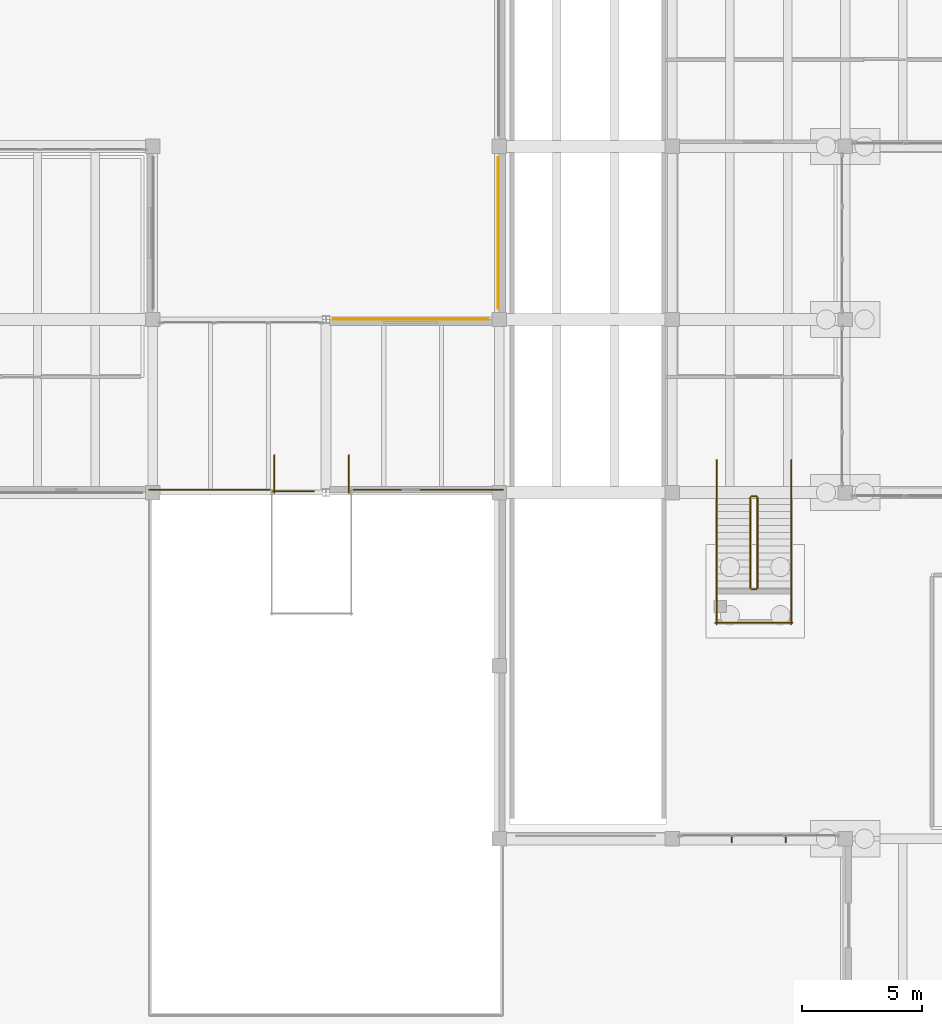
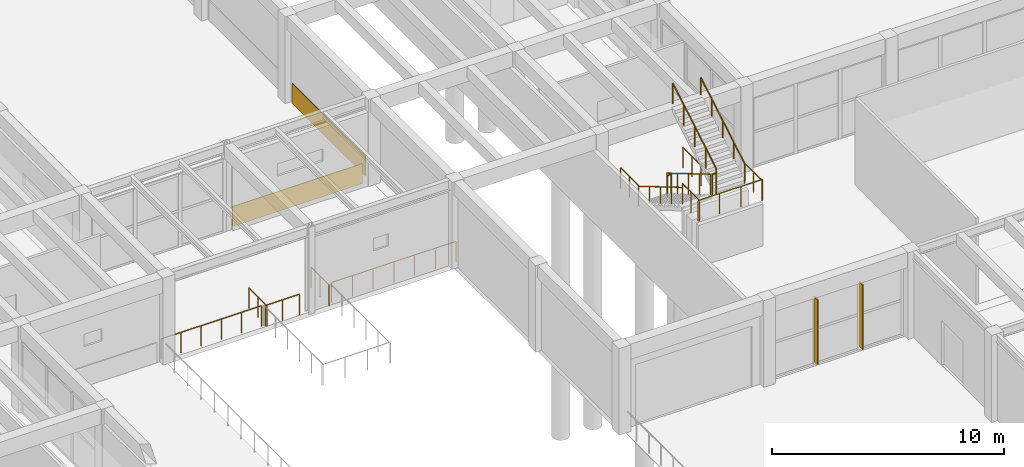
# One storey, part 135 of 155: 16 railings, 2 coverings, 2 shading devices.
"""IFC4 building model written with IfcOpenShell, lengths in metres."""

from ifc_helpers import new_model, si_unit, direction, frame, origin, origin_2d, place, context, subcontext, project, spatial, rectangle, circle, extrude, material, layer, layer_set, type_object, element, save


model = new_model("IFC4")

# Units and contexts
model_context = context("Model", 3, precision=1e-05, world=origin(), true_north=direction((0.0, 1.0)))
body_context = subcontext(model_context, "Body", "Model", "MODEL_VIEW")
ifc_project = project(units=[si_unit("LENGTHUNIT", "METRE"), si_unit("AREAUNIT", "SQUARE_METRE"), si_unit("VOLUMEUNIT", "CUBIC_METRE"), si_unit("PLANEANGLEUNIT", "RADIAN"), si_unit("MASSUNIT", "GRAM", prefix="KILO")], contexts=[model_context])

# Site, building, storey
site_placement = place(None, origin())
site = spatial("IfcSite", under=ifc_project, at=site_placement, CompositionType="ELEMENT")
building_placement = place(site_placement, origin())
building = spatial("IfcBuilding", under=site, at=building_placement, Name="Bramvelor Terrace Health Centre", CompositionType="ELEMENT")
storey_placement = place(building_placement, origin())
storey = spatial("IfcBuildingStorey", under=building, at=storey_placement, Name="L01", CompositionType="ELEMENT", Elevation=0.0)

# Coverings
ifc_material_1 = material(Name="Honed volcanic tuff rainscreen stone", Category="masonry")
ifc_layer_1 = layer(ifc_material_1, 0.0400390625)
ifc_layer_set_1 = layer_set([ifc_layer_1], Name="Honed volcanic tuff rainscreen stone")
covering_type = type_object("IfcCoveringType", Name="COV-CLAD-TUF", PredefinedType="CLADDING", material=ifc_layer_set_1)
covering_1_placement = place(storey_placement, frame((39.52685546875, 57.614990234375, 0.02490234375), z_axis=(0.0, 0.0, 1.0), x_axis=(1.0, 0.0, 0.0)))
element("IfcCovering", 1, at=covering_1_placement, inside=storey, type_object=covering_type, Name="L01 Volcanic Tuff Rainscreen Spandrel 11", PredefinedType="CLADDING", context=body_context, shape_type="SweptSolid", body=[
    extrude(rectangle(XDim=6.4560546875, YDim=0.0400390625, at=origin_2d()), origin(), (0.0, 0.0, 1.0), 1.050048828125),
])
covering_2_placement = place(storey_placement, frame((43.169921875, 61.199951171875, 0.02490234375), z_axis=(0.0, 0.0, 1.0), x_axis=(1.0, 0.0, 0.0)))
element("IfcCovering", 2, at=covering_2_placement, inside=storey, type_object=covering_type, Name="L01 Volcanic Tuff Rainscreen Spandrel 12", PredefinedType="CLADDING", context=body_context, shape_type="SweptSolid", body=[
    extrude(rectangle(XDim=0.0400390625, YDim=6.31005859375, at=origin_2d()), origin(), (0.0, 0.0, 1.0), 1.050048828125),
])

# Railings
ifc_material_2 = material(Name="Painted galvanized steel", Category="steel")
railing_type_1 = type_object("IfcRailingType", Name="RLG-GD-1100", PredefinedType="GUARDRAIL", material=ifc_material_2)
railing_1_placement = place(storey_placement, frame((53.64990234375, 50.199951171875, 0.17138671875)))
element("IfcRailing", 3, at=railing_1_placement, inside=storey, type_object=railing_type_1, Name="L01 ST-11 stair guard 1", PredefinedType="GUARDRAIL", context=body_context, shape_type="SweptSolid", body=[
    extrude(circle(Radius=0.02392578125, at=origin_2d()), frame((0.0, 0.0, 1.076171875), z_axis=(0.0, -0.860848830602, 0.508860777473), x_axis=(1.0, 0.0, 0.0)), (0.0, 0.0, 1.0), 4.37939453125),
    extrude(circle(Radius=0.02099609375, at=origin_2d()), origin(), (0.0, 0.0, 1.0), 1.052001953125),
    extrude(circle(Radius=0.02099609375, at=origin_2d()), frame((0.0, -0.9423828125, 0.55712890625)), (0.0, 0.0, 1.0), 1.052001953125),
    extrude(circle(Radius=0.02099609375, at=origin_2d()), frame((0.0, -1.885009765625, 1.1142578125)), (0.0, 0.0, 1.0), 1.052001953125),
    extrude(circle(Radius=0.02099609375, at=origin_2d()), frame((0.0, -2.82763671875, 1.67138671875)), (0.0, 0.0, 1.0), 1.052001953125),
    extrude(circle(Radius=0.02099609375, at=origin_2d()), frame((0.0, -3.77001953125, 2.228515625)), (0.0, 0.0, 1.0), 1.052001953125),
])
railing_2_placement = place(storey_placement, frame((53.699951171875, 46.3798828125, 2.39990234375)))
element("IfcRailing", 4, at=railing_2_placement, inside=storey, type_object=railing_type_1, Name="L01 ST-11 stair guard 2", PredefinedType="GUARDRAIL", context=body_context, shape_type="SweptSolid", body=[
    extrude(circle(Radius=0.02392578125, at=origin_2d()), frame((0.0, 0.0, 1.076171875), z_axis=(1.0, 0.0, 0.0), x_axis=(0.0, 1.0, 0.0)), (0.0, 0.0, 1.0), 0.199951171875),
    extrude(circle(Radius=0.02099609375, at=origin_2d()), origin(), (0.0, 0.0, 1.0), 1.052001953125),
    extrude(circle(Radius=0.02099609375, at=origin_2d()), frame((0.199951171875, 0.0, 0.0)), (0.0, 0.0, 1.0), 1.052001953125),
])
for number, where, name in (
    (5, (52.25, 46.429931640625, 2.39990234375), "L01 ST-11 stair guard 3"),
    (6, (55.35009765625, 46.429931640625, 2.39990234375), "L01 ST-11 stair guard 4"),
):
    element("IfcRailing", number, at=place(storey_placement, frame(where)), inside=storey, type_object=railing_type_1, Name=name, PredefinedType="GUARDRAIL", context=body_context, shape_type="SweptSolid", body=[
        extrude(circle(Radius=0.02392578125, at=origin_2d()), frame((0.0, 0.0, 1.076171875), z_axis=(0.0, -1.0, 0.0), x_axis=(1.0, 0.0, 0.0)), (0.0, 0.0, 1.0), 1.5),
        extrude(circle(Radius=0.02099609375, at=origin_2d()), origin(), (0.0, 0.0, 1.0), 1.052001953125),
        extrude(circle(Radius=0.02099609375, at=origin_2d()), frame((0.0, -0.75, 0.0)), (0.0, 0.0, 1.0), 1.052001953125),
        extrude(circle(Radius=0.02099609375, at=origin_2d()), frame((0.0, -1.5, 0.0)), (0.0, 0.0, 1.0), 1.052001953125),
    ])
railing_3_placement = place(storey_placement, frame((52.199951171875, 44.97998046875, 2.39990234375)))
element("IfcRailing", 7, at=railing_3_placement, inside=storey, type_object=railing_type_1, Name="L01 ST-11 stair guard 5", PredefinedType="GUARDRAIL", context=body_context, shape_type="SweptSolid", body=[
    extrude(circle(Radius=0.02392578125, at=origin_2d()), frame((0.0, 0.0, 1.076171875), z_axis=(1.0, 0.0, 0.0), x_axis=(0.0, 1.0, 0.0)), (0.0, 0.0, 1.0), 3.199951171875),
    extrude(circle(Radius=0.02099609375, at=origin_2d()), origin(), (0.0, 0.0, 1.0), 1.052001953125),
    extrude(circle(Radius=0.02099609375, at=origin_2d()), frame((1.066650390625, 0.0, 0.0)), (0.0, 0.0, 1.0), 1.052001953125),
    extrude(circle(Radius=0.02099609375, at=origin_2d()), frame((2.13330078125, 0.0, 0.0)), (0.0, 0.0, 1.0), 1.052001953125),
    extrude(circle(Radius=0.02099609375, at=origin_2d()), frame((3.199951171875, 0.0, 0.0)), (0.0, 0.0, 1.0), 1.052001953125),
])
railing_4_placement = place(storey_placement, frame((53.949951171875, 46.429931640625, 2.571533203125)))
element("IfcRailing", 8, at=railing_4_placement, inside=storey, type_object=railing_type_1, Name="L01 ST-11 stair guard 6", PredefinedType="GUARDRAIL", context=body_context, shape_type="SweptSolid", body=[
    extrude(circle(Radius=0.02392578125, at=origin_2d()), frame((0.0, 0.0, 1.076171875), z_axis=(0.0, 0.860848830602, 0.508860777473), x_axis=(-1.0, 0.0, 0.0)), (0.0, 0.0, 1.0), 4.37939453125),
    extrude(circle(Radius=0.02099609375, at=origin_2d()), origin(), (0.0, 0.0, 1.0), 1.052001953125),
    extrude(circle(Radius=0.02099609375, at=origin_2d()), frame((0.0, 0.9423828125, 0.55712890625)), (0.0, 0.0, 1.0), 1.052001953125),
    extrude(circle(Radius=0.02099609375, at=origin_2d()), frame((0.0, 1.885009765625, 1.1142578125)), (0.0, 0.0, 1.0), 1.052001953125),
    extrude(circle(Radius=0.02099609375, at=origin_2d()), frame((0.0, 2.82763671875, 1.67138671875)), (0.0, 0.0, 1.0), 1.052001953125),
    extrude(circle(Radius=0.02099609375, at=origin_2d()), frame((0.0, 3.77001953125, 2.228515625)), (0.0, 0.0, 1.0), 1.052001953125),
])
railing_5_placement = place(storey_placement, frame((53.699951171875, 50.25, 0.0)))
element("IfcRailing", 9, at=railing_5_placement, inside=storey, type_object=railing_type_1, Name="L01 ST-11 stair guard 7", PredefinedType="GUARDRAIL", context=body_context, shape_type="SweptSolid", body=[
    extrude(circle(Radius=0.02392578125, at=origin_2d()), frame((0.0, 0.0, 1.076171875), z_axis=(1.0, 0.0, 0.0), x_axis=(0.0, 1.0, 0.0)), (0.0, 0.0, 1.0), 0.199951171875),
    extrude(circle(Radius=0.02099609375, at=origin_2d()), origin(), (0.0, 0.0, 1.0), 1.052001953125),
    extrude(circle(Radius=0.02099609375, at=origin_2d()), frame((0.199951171875, 0.0, 0.0)), (0.0, 0.0, 1.0), 1.052001953125),
])
for number, where, name in (
    (10, (52.25, 51.75, 0.0), "L01 ST-11 stair guard 8"),
    (11, (55.35009765625, 51.75, 0.0), "L01 ST-11 stair guard 9"),
):
    element("IfcRailing", number, at=place(storey_placement, frame(where)), inside=storey, type_object=railing_type_1, Name=name, PredefinedType="GUARDRAIL", context=body_context, shape_type="SweptSolid", body=[
        extrude(circle(Radius=0.02392578125, at=origin_2d()), frame((0.0, 0.0, 1.076171875), z_axis=(0.0, -1.0, 0.0), x_axis=(1.0, 0.0, 0.0)), (0.0, 0.0, 1.0), 1.550048828125),
        extrude(circle(Radius=0.02099609375, at=origin_2d()), origin(), (0.0, 0.0, 1.0), 1.052001953125),
        extrude(circle(Radius=0.02099609375, at=origin_2d()), frame((0.0, -0.77490234375, 0.0)), (0.0, 0.0, 1.0), 1.052001953125),
        extrude(circle(Radius=0.02099609375, at=origin_2d()), frame((0.0, -1.550048828125, 0.0)), (0.0, 0.0, 1.0), 1.052001953125),
    ])
ifc_material_3 = material(Name="Painted galvanized steel", Category="steel")
railing_type_2 = type_object("IfcRailingType", Name="RLG-GD-EXT1100", PredefinedType="GUARDRAIL", material=ifc_material_3)
railing_6_placement = place(storey_placement, frame((33.800048828125, 50.449951171875, 0.0)))
element("IfcRailing", 12, at=railing_6_placement, inside=storey, type_object=railing_type_2, Name="L01 STE-1 top well guard 1", PredefinedType="GUARDRAIL", context=body_context, shape_type="SweptSolid", body=[
    extrude(circle(Radius=0.02392578125, at=origin_2d()), frame((0.0, 0.0, 1.076171875), z_axis=(1.0, 0.0, 0.0), x_axis=(0.0, 1.0, 0.0)), (0.0, 0.0, 1.0), 1.699951171875),
    extrude(circle(Radius=0.02099609375, at=origin_2d()), origin(), (0.0, 0.0, 1.0), 1.052001953125),
    extrude(circle(Radius=0.02099609375, at=origin_2d()), frame((0.85009765625, 0.0, 0.0)), (0.0, 0.0, 1.0), 1.052001953125),
    extrude(circle(Radius=0.02099609375, at=origin_2d()), frame((1.699951171875, 0.0, 0.0)), (0.0, 0.0, 1.0), 1.052001953125),
])
for number, where, name in (
    (13, (33.85009765625, 51.949951171875, 0.0), "L01 STE-1 top well guard 5"),
    (14, (36.949951171875, 51.949951171875, 0.0), "L01 STE-1 top well guard 6"),
):
    element("IfcRailing", number, at=place(storey_placement, frame(where)), inside=storey, type_object=railing_type_2, Name=name, PredefinedType="GUARDRAIL", context=body_context, shape_type="SweptSolid", body=[
        extrude(circle(Radius=0.02392578125, at=origin_2d()), frame((0.0, 0.0, 1.076171875), z_axis=(0.0, -1.0, 0.0), x_axis=(1.0, 0.0, 0.0)), (0.0, 0.0, 1.0), 1.550048828125),
        extrude(circle(Radius=0.02099609375, at=origin_2d()), origin(), (0.0, 0.0, 1.0), 1.052001953125),
        extrude(circle(Radius=0.02099609375, at=origin_2d()), frame((0.0, -0.77490234375, 0.0)), (0.0, 0.0, 1.0), 1.052001953125),
        extrude(circle(Radius=0.02099609375, at=origin_2d()), frame((0.0, -1.550048828125, 0.0)), (0.0, 0.0, 1.0), 1.052001953125),
    ])
ifc_material_4 = material(Name="Brushed stainless steel 316", Category="steel")
railing_type_3 = type_object("IfcRailingType", Name="RLG-HR-900", PredefinedType="HANDRAIL", material=ifc_material_4)
railing_7_placement = place(storey_placement, frame((52.25, 50.199951171875, 0.17138671875)))
element("IfcRailing", 15, at=railing_7_placement, inside=storey, type_object=railing_type_3, Name="L01 ST-11 stair handrail 1", PredefinedType="HANDRAIL", context=body_context, shape_type="SweptSolid", body=[
    extrude(circle(Radius=0.02392578125, at=origin_2d()), frame((0.0, 0.0, 0.8759765625), z_axis=(0.0, -0.860848830602, 0.508860777473), x_axis=(1.0, 0.0, 0.0)), (0.0, 0.0, 1.0), 4.37939453125),
    extrude(circle(Radius=0.02099609375, at=origin_2d()), origin(), (0.0, 0.0, 1.0), 0.851806640625),
    extrude(circle(Radius=0.02099609375, at=origin_2d()), frame((0.0, -0.9423828125, 0.55712890625)), (0.0, 0.0, 1.0), 0.851806640625),
    extrude(circle(Radius=0.02099609375, at=origin_2d()), frame((0.0, -1.885009765625, 1.1142578125)), (0.0, 0.0, 1.0), 0.851806640625),
    extrude(circle(Radius=0.02099609375, at=origin_2d()), frame((0.0, -2.82763671875, 1.67138671875)), (0.0, 0.0, 1.0), 0.851806640625),
    extrude(circle(Radius=0.02099609375, at=origin_2d()), frame((0.0, -3.77001953125, 2.228515625)), (0.0, 0.0, 1.0), 0.851806640625),
])
railing_8_placement = place(storey_placement, frame((55.35009765625, 46.429931640625, 2.571533203125)))
element("IfcRailing", 16, at=railing_8_placement, inside=storey, type_object=railing_type_3, Name="L01 ST-11 stair handrail 2", PredefinedType="HANDRAIL", context=body_context, shape_type="SweptSolid", body=[
    extrude(circle(Radius=0.02392578125, at=origin_2d()), frame((0.0, 0.0, 0.8759765625), z_axis=(0.0, 0.860848830602, 0.508860777473), x_axis=(-1.0, 0.0, 0.0)), (0.0, 0.0, 1.0), 4.37939453125),
    extrude(circle(Radius=0.02099609375, at=origin_2d()), origin(), (0.0, 0.0, 1.0), 0.851806640625),
    extrude(circle(Radius=0.02099609375, at=origin_2d()), frame((0.0, 0.9423828125, 0.55712890625)), (0.0, 0.0, 1.0), 0.851806640625),
    extrude(circle(Radius=0.02099609375, at=origin_2d()), frame((0.0, 1.885009765625, 1.1142578125)), (0.0, 0.0, 1.0), 0.851806640625),
    extrude(circle(Radius=0.02099609375, at=origin_2d()), frame((0.0, 2.82763671875, 1.67138671875)), (0.0, 0.0, 1.0), 0.851806640625),
    extrude(circle(Radius=0.02099609375, at=origin_2d()), frame((0.0, 3.77001953125, 2.228515625)), (0.0, 0.0, 1.0), 0.851806640625),
])
ifc_material_5 = material(Name="Laminated safety glass and stainless steel", Category="steel")
railing_type_4 = type_object("IfcRailingType", Name="RLG-TER-1100", PredefinedType="BALUSTRADE", material=ifc_material_5)
railing_9_placement = place(storey_placement, frame((28.64990234375, 50.52001953125, 0.0)))
element("IfcRailing", 17, at=railing_9_placement, inside=storey, type_object=railing_type_4, Name="L01 Sunken Forecourt Rim Balustrade 1", PredefinedType="BALUSTRADE", context=body_context, shape_type="SweptSolid", body=[
    extrude(circle(Radius=0.02392578125, at=origin_2d()), frame((0.0, 0.0, 1.076171875), z_axis=(1.0, 0.0, 0.0), x_axis=(0.0, 1.0, 0.0)), (0.0, 0.0, 1.0), 5.0),
    extrude(circle(Radius=0.02099609375, at=origin_2d()), origin(), (0.0, 0.0, 1.0), 1.052001953125),
    extrude(circle(Radius=0.02099609375, at=origin_2d()), frame((1.0, 0.0, 0.0)), (0.0, 0.0, 1.0), 1.052001953125),
    extrude(circle(Radius=0.02099609375, at=origin_2d()), frame((2.0, 0.0, 0.0)), (0.0, 0.0, 1.0), 1.052001953125),
    extrude(circle(Radius=0.02099609375, at=origin_2d()), frame((3.0, 0.0, 0.0)), (0.0, 0.0, 1.0), 1.052001953125),
    extrude(circle(Radius=0.02099609375, at=origin_2d()), frame((4.0, 0.0, 0.0)), (0.0, 0.0, 1.0), 1.052001953125),
    extrude(circle(Radius=0.02099609375, at=origin_2d()), frame((5.0, 0.0, 0.0)), (0.0, 0.0, 1.0), 1.052001953125),
])
railing_10_placement = place(storey_placement, frame((37.14990234375, 50.52001953125, 0.0)))
element("IfcRailing", 18, at=railing_10_placement, inside=storey, type_object=railing_type_4, Name="L01 Sunken Forecourt Rim Balustrade 2", PredefinedType="BALUSTRADE", context=body_context, shape_type="SweptSolid", body=[
    extrude(circle(Radius=0.02392578125, at=origin_2d()), frame((0.0, 0.0, 1.076171875), z_axis=(1.0, 0.0, 0.0), x_axis=(0.0, 1.0, 0.0)), (0.0, 0.0, 1.0), 6.2001953125),
    extrude(circle(Radius=0.02099609375, at=origin_2d()), origin(), (0.0, 0.0, 1.0), 1.052001953125),
    extrude(circle(Radius=0.02099609375, at=origin_2d()), frame((1.033447265625, 0.0, 0.0)), (0.0, 0.0, 1.0), 1.052001953125),
    extrude(circle(Radius=0.02099609375, at=origin_2d()), frame((2.066650390625, 0.0, 0.0)), (0.0, 0.0, 1.0), 1.052001953125),
    extrude(circle(Radius=0.02099609375, at=origin_2d()), frame((3.10009765625, 0.0, 0.0)), (0.0, 0.0, 1.0), 1.052001953125),
    extrude(circle(Radius=0.02099609375, at=origin_2d()), frame((4.133544921875, 0.0, 0.0)), (0.0, 0.0, 1.0), 1.052001953125),
    extrude(circle(Radius=0.02099609375, at=origin_2d()), frame((5.166748046875, 0.0, 0.0)), (0.0, 0.0, 1.0), 1.052001953125),
    extrude(circle(Radius=0.02099609375, at=origin_2d()), frame((6.2001953125, 0.0, 0.0)), (0.0, 0.0, 1.0), 1.052001953125),
])

# Shading devices
ifc_material_6 = material(Name="Anodized aluminium 6063-T6", Category="aluminium")
ifc_layer_2 = layer(ifc_material_6, 0.050048828125)
ifc_layer_set_2 = layer_set([ifc_layer_2], Name="Anodized aluminium 6063-T6")
shading_device_type = type_object("IfcShadingDeviceType", Name="SHD-FIN-300", PredefinedType="JALOUSIE", material=ifc_layer_set_2)
for number, where, z_axis, x_axis, name in (
    (19, (55.123779296875, 35.97998046875, 0.150146484375), (0.0, 0.0, 1.0), (1.0, 0.0, 0.0), "L01 Solar Shading Louvre Fin 51"),
    (20, (52.876220703125, 35.97998046875, 0.150146484375), (0.0, 0.0, 1.0), (1.0, 0.0, 0.0), "L01 Solar Shading Louvre Fin 52"),
):
    element("IfcShadingDevice", number, at=place(storey_placement, frame(where, z_axis=z_axis, x_axis=x_axis)), inside=storey, type_object=shading_device_type, Name=name, PredefinedType="JALOUSIE", context=body_context, shape_type="SweptSolid", body=[
        extrude(rectangle(XDim=0.050048828125, YDim=0.300048828125, at=origin_2d()), origin(), (0.0, 0.0, 1.0), 3.419921875),
    ])

save(model, "model.ifc")
